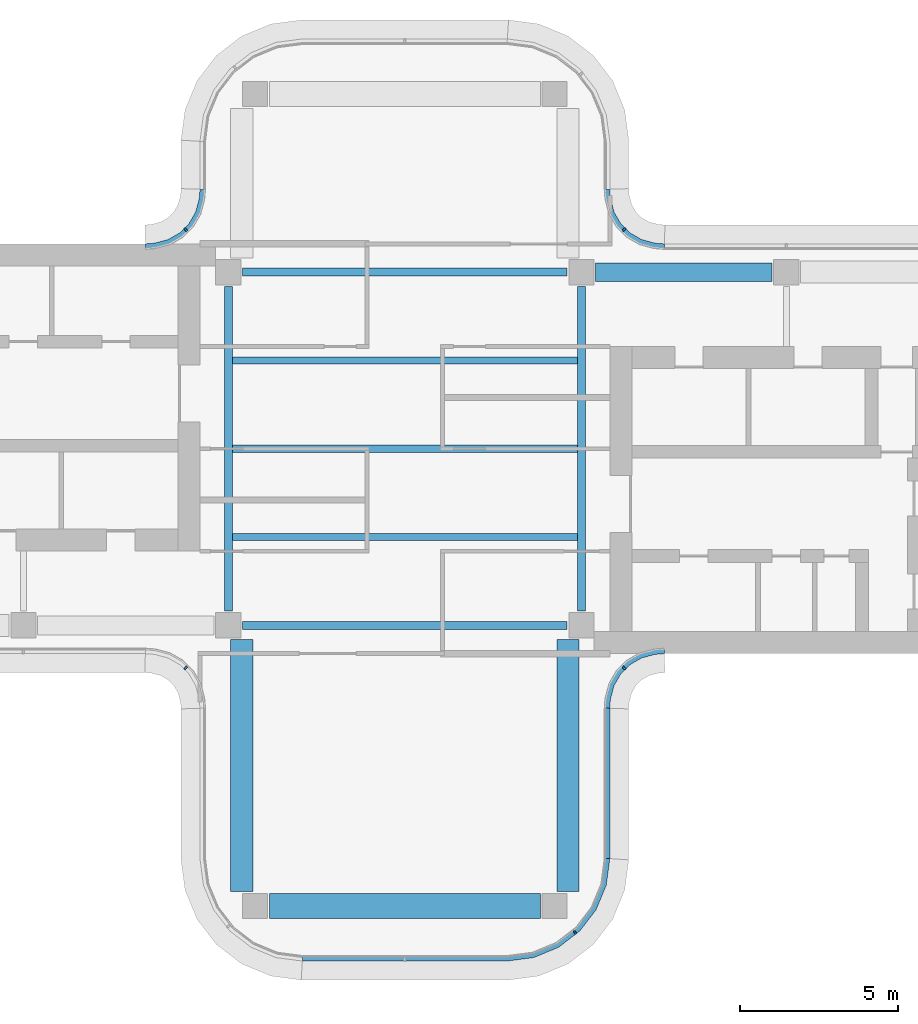
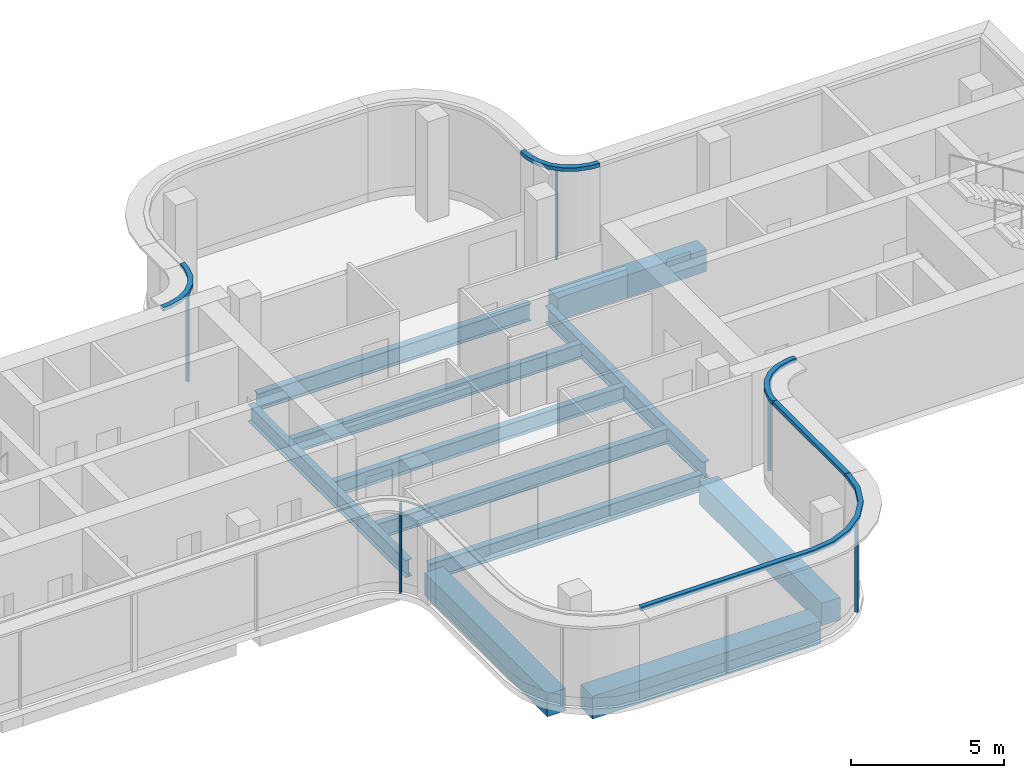
# One storey, part 3 of 10: 11 beams, 10 members, 6 elements without a shape of their own.
"""IFC4 building model written with IfcOpenShell, lengths in metres."""

from ifc_helpers import new_model, si_unit, direction, frame, origin, origin_2d, place, context, subcontext, project, spatial, polyline, rectangle, i_section, outline, extrude, source, transform, mapped, material, layer, layer_set, material_profile, profile_set, type_object, element, aggregate, save


model = new_model("IFC4")

# Units and contexts
model_context = context("Model", 3, precision=1e-05, world=origin(), true_north=direction((0.0, 1.0)))
body_context = subcontext(model_context, "Body", "Model", "MODEL_VIEW")
ifc_project = project(units=[si_unit("LENGTHUNIT", "METRE"), si_unit("AREAUNIT", "SQUARE_METRE"), si_unit("VOLUMEUNIT", "CUBIC_METRE"), si_unit("PLANEANGLEUNIT", "RADIAN"), si_unit("MASSUNIT", "GRAM", prefix="KILO")], contexts=[model_context])

# Site, building, storey
site_placement = place(None, origin())
site = spatial("IfcSite", under=ifc_project, at=site_placement, CompositionType="ELEMENT")
building_placement = place(site_placement, origin())
building = spatial("IfcBuilding", under=site, at=building_placement, Name="Trellis Farm Tower", CompositionType="ELEMENT")
storey_placement = place(building_placement, frame((0.0, 0.0, 350.10009765625)))
storey = spatial("IfcBuildingStorey", under=building, at=storey_placement, Name="L79", CompositionType="ELEMENT", Elevation=350.10009765625)

# Curtain wall, member
ifc_material_1 = material(Name="Aluminium and glass curtain wall", Category="aluminium")
ifc_layer_1 = layer(ifc_material_1, 0.176025390625)
ifc_layer_set_1 = layer_set([ifc_layer_1], Name="CROWN LANTERN CURTAIN WALL CW5")
curtain_wall_type = type_object("IfcCurtainWallType", Name="CROWN LANTERN CURTAIN WALL CW5", PredefinedType="NOTDEFINED", material=ifc_layer_set_1)
placement_1 = place(storey_placement, origin())
curtain_wall_1 = element("IfcCurtainWall", 1, at=placement_1, inside=storey, type_object=curtain_wall_type, Name="CW5 002", PredefinedType="NOTDEFINED")
ifc_material_2 = material(Name="Aluminium extrusion 6063-T6", Category="aluminium")
ifc_layer_2 = layer(ifc_material_2, 0.176025390625)
ifc_layer_set_2 = layer_set([ifc_layer_2], Name="Aluminium extrusion 6063-T6")
member_type_1 = type_object("IfcMemberType", Name="CW5 TRANSOM 176x150", PredefinedType="USERDEFINED", material=ifc_layer_set_2)
placement_2 = place(storey_placement, frame((0.0, 0.0, 3.599853515625)))
member_1 = element("IfcMember", 2, at=placement_2, type_object=member_type_1, Name="TR5 002", ObjectType="TRANSOM", PredefinedType="USERDEFINED", context=body_context, shape_type="SweptSolid", body=[
    extrude(outline(polyline([(-3.25, -16.25), (3.25, -16.25), (4.091064453125, -16.13916015625), (4.875, -15.814697265625), (5.548095703125, -15.298095703125), (6.064697265625, -14.625), (6.38916015625, -13.841064453125), (6.5, -13.0), (6.323974609375, -12.988525390625), (6.2177734375, -13.795166015625), (5.910888671875, -14.5361328125), (5.422607421875, -15.172607421875), (4.7861328125, -15.660888671875), (4.045166015625, -15.9677734375), (3.238525390625, -16.073974609375), (-3.238525390625, -16.073974609375), (-3.25, -16.25)])), origin(), (0.0, 0.0, 1.0), 0.150146484375),
])

# Beams
ifc_material_3 = material(Name="Steel S355", Category="steel")
ifc_material_profile_1 = material_profile(ifc_material_3, i_section(OverallWidth=0.22900390625, OverallDepth=0.6123046875, WebThickness=0.011962890625, FlangeThickness=0.01953125, FilletRadius=0.0126953125, at=origin_2d()), Name="UB 610x229x125")
ifc_profile_set_1 = profile_set([ifc_material_profile_1], Name="Steel S355")
beam_type_1 = type_object("IfcBeamType", Name="UB 610x229x125 joist", PredefinedType="JOIST", material=ifc_profile_set_1)
shared_shape_1 = source(origin(), body_context, "Body", "SweptSolid", [
    extrude(i_section(OverallWidth=0.22900390625, OverallDepth=0.6123046875, WebThickness=0.011962890625, FlangeThickness=0.01953125, FilletRadius=0.0126953125, at=origin_2d()), origin(), (0.0, 0.0, 1.0), 10.9462890625),
])
for number, where, z_axis, x_axis, name in (
    (3, (-5.47314453125, -2.800048828125, -0.55615234375), (1.0, 0.0, 0.0), (0.0, 1.0, 0.0), "Floor beam"),
    (4, (-5.47314453125, 0.0, -0.55615234375), (1.0, 0.0, 0.0), (0.0, 1.0, 0.0), "Floor beam"),
    (5, (-5.47314453125, 2.800048828125, -0.55615234375), (1.0, 0.0, 0.0), (0.0, 1.0, 0.0), "Floor beam"),
):
    element("IfcBeam", number, at=place(storey_placement, frame(where, z_axis=z_axis, x_axis=x_axis)), inside=storey, type_object=beam_type_1, Name=name, PredefinedType="JOIST", context=body_context, shape_type="MappedRepresentation", body=[
        mapped(shared_shape_1, transform((0.0, 0.0, 0.0))),
    ])
ifc_material_4 = material(Name="Concrete C60/75", Category="concrete")
ifc_material_profile_2 = material_profile(ifc_material_4, rectangle(XDim=0.60009765625, YDim=0.89990234375, at=origin_2d()), Name="RC spandrel beam 600x900 C60/75")
ifc_profile_set_2 = profile_set([ifc_material_profile_2], Name="Concrete C60/75")
beam_type_2 = type_object("IfcBeamType", Name="RC spandrel beam 600x900 C60/75", PredefinedType="SPANDREL", material=ifc_profile_set_2)
shared_shape_2 = source(origin(), body_context, "Body", "SweptSolid", [
    extrude(rectangle(XDim=0.60009765625, YDim=0.89990234375, at=origin_2d()), origin(), (0.0, 0.0, 1.0), 5.599853515625),
])
beam_1_placement = place(storey_placement, frame((6.050048828125, 5.60009765625, -0.7001953125), z_axis=(1.0, 0.0, 0.0), x_axis=(0.0, 1.0, 0.0)))
element("IfcBeam", 6, at=beam_1_placement, inside=storey, type_object=beam_type_2, Name="Girder", PredefinedType="SPANDREL", context=body_context, shape_type="MappedRepresentation", body=[
    mapped(shared_shape_2, transform((0.0, 0.0, 0.0))),
])
ifc_material_profile_3 = material_profile(ifc_material_3, i_section(OverallWidth=0.253662109375, OverallDepth=0.68359375, WebThickness=0.012451171875, FlangeThickness=0.021728515625, FilletRadius=0.01513671875, at=origin_2d()), Name="UB 686x254x140")
ifc_profile_set_3 = profile_set([ifc_material_profile_3], Name="Steel S355")
beam_type_3 = type_object("IfcBeamType", Name="UB 686x254x140", PredefinedType="BEAM", material=ifc_profile_set_3)
shared_shape_3 = source(origin(), body_context, "Body", "SweptSolid", [
    extrude(i_section(OverallWidth=0.253662109375, OverallDepth=0.68359375, WebThickness=0.012451171875, FlangeThickness=0.021728515625, FilletRadius=0.01513671875, at=origin_2d()), origin(), (0.0, 0.0, 1.0), 10.2998046875),
])
for number, where, z_axis, x_axis, name in (
    (7, (-5.14990234375, -5.60009765625, -0.591796875), (1.0, 0.0, 0.0), (0.0, 1.0, 0.0), "Girder"),
    (8, (-5.14990234375, 5.60009765625, -0.591796875), (1.0, 0.0, 0.0), (0.0, 1.0, 0.0), "Girder"),
    (9, (-5.60009765625, -5.14990234375, -0.591796875), (0.0, 1.0, 0.0), (-1.0, 0.0, 0.0), "Girder"),
    (10, (5.60009765625, -5.14990234375, -0.591796875), (0.0, 1.0, 0.0), (-1.0, 0.0, 0.0), "Girder"),
):
    element("IfcBeam", number, at=place(storey_placement, frame(where, z_axis=z_axis, x_axis=x_axis)), inside=storey, type_object=beam_type_3, Name=name, PredefinedType="BEAM", context=body_context, shape_type="MappedRepresentation", body=[
        mapped(shared_shape_3, transform((0.0, 0.0, 0.0))),
    ])
ifc_material_profile_4 = material_profile(ifc_material_4, rectangle(XDim=0.800048828125, YDim=0.89990234375, at=origin_2d()), Name="RC spandrel beam 800x900 C60/75")
ifc_profile_set_4 = profile_set([ifc_material_profile_4], Name="Concrete C60/75")
beam_type_4 = type_object("IfcBeamType", Name="RC spandrel beam 800x900 C60/75", PredefinedType="SPANDREL", material=ifc_profile_set_4)
shared_shape_4 = source(origin(), body_context, "Body", "SweptSolid", [
    extrude(rectangle(XDim=0.800048828125, YDim=0.89990234375, at=origin_2d()), origin(), (0.0, 0.0, 1.0), 8.60009765625),
])
beam_2_placement = place(storey_placement, frame((-4.300048828125, -14.5, -0.7001953125), z_axis=(1.0, 0.0, 0.0), x_axis=(0.0, 1.0, 0.0)))
element("IfcBeam", 11, at=beam_2_placement, inside=storey, type_object=beam_type_4, Name="Girder", PredefinedType="SPANDREL", context=body_context, shape_type="MappedRepresentation", body=[
    mapped(shared_shape_4, transform((0.0, 0.0, 0.0))),
])
ifc_material_profile_5 = material_profile(ifc_material_4, rectangle(XDim=0.699951171875, YDim=0.89990234375, at=origin_2d()), Name="RC spandrel beam 700x900 C60/75")
ifc_profile_set_5 = profile_set([ifc_material_profile_5], Name="Concrete C60/75")
beam_type_5 = type_object("IfcBeamType", Name="RC spandrel beam 700x900 C60/75", PredefinedType="SPANDREL", material=ifc_profile_set_5)
shared_shape_5 = source(origin(), body_context, "Body", "SweptSolid", [
    extrude(rectangle(XDim=0.699951171875, YDim=0.89990234375, at=origin_2d()), origin(), (0.0, 0.0, 1.0), 8.0),
])
for number, where, z_axis, x_axis, name in (
    (12, (-5.175048828125, -14.050048828125, -0.7001953125), (0.0, 1.0, 0.0), (-1.0, 0.0, 0.0), "Girder"),
    (13, (5.175048828125, -14.050048828125, -0.7001953125), (0.0, 1.0, 0.0), (-1.0, 0.0, 0.0), "Girder"),
):
    element("IfcBeam", number, at=place(storey_placement, frame(where, z_axis=z_axis, x_axis=x_axis)), inside=storey, type_object=beam_type_5, Name=name, PredefinedType="SPANDREL", context=body_context, shape_type="MappedRepresentation", body=[
        mapped(shared_shape_5, transform((0.0, 0.0, 0.0))),
    ])

# Member
ifc_material_profile_6 = material_profile(ifc_material_2, rectangle(XDim=0.06005859375, YDim=0.1201171875, at=origin_2d()), Name="MULLION 60x120")
ifc_profile_set_6 = profile_set([ifc_material_profile_6], Name="Aluminium extrusion 6063-T6")
member_type_2 = type_object("IfcMemberType", Name="CW5 MULLION 60x120", PredefinedType="MULLION", material=ifc_profile_set_6)
shared_shape_6 = source(origin(), body_context, "Body", "SweptSolid", [
    extrude(rectangle(XDim=0.06005859375, YDim=0.1201171875, at=origin_2d()), origin(), (0.0, 0.0, 1.0), 3.599853515625),
])
member_2_placement = place(storey_placement, frame((5.394775390625, -15.340087890625, 0.0), z_axis=(0.0, 0.0, 1.0), x_axis=(0.793353340291, 0.608761429009, 0.0)))
member_2 = element("IfcMember", 14, at=member_2_placement, type_object=member_type_2, Name="MU5 002-02", PredefinedType="MULLION", context=body_context, shape_type="MappedRepresentation", body=[
    mapped(shared_shape_6, transform((0.0, 0.0, 0.0))),
])

aggregate(curtain_wall_1, [member_2, member_1])

# Curtain wall, member
curtain_wall_2 = element("IfcCurtainWall", 15, at=placement_1, inside=storey, type_object=curtain_wall_type, Name="CW5 004", PredefinedType="NOTDEFINED")
member_3_placement = place(storey_placement, frame((6.953125, -6.953125, 0.0), z_axis=(0.0, 0.0, 1.0), x_axis=(0.707106781187, 0.707106781187, 0.0)))
member_3 = element("IfcMember", 16, at=member_3_placement, type_object=member_type_2, Name="MU5 004-01", PredefinedType="MULLION", context=body_context, shape_type="MappedRepresentation", body=[
    mapped(shared_shape_6, transform((0.0, 0.0, 0.0))),
])

curtain_wall_3 = element("IfcCurtainWall", 17, at=placement_1, inside=storey, type_object=curtain_wall_type, Name="CW5 007", PredefinedType="NOTDEFINED")
member_4_placement = place(storey_placement, frame((6.953125, 6.953125, 0.0), z_axis=(0.0, 0.0, 1.0), x_axis=(-0.707106781187, 0.707106781187, 0.0)))
member_4 = element("IfcMember", 18, at=member_4_placement, type_object=member_type_2, Name="MU5 007-01", PredefinedType="MULLION", context=body_context, shape_type="MappedRepresentation", body=[
    mapped(shared_shape_6, transform((0.0, 0.0, 0.0))),
])

curtain_wall_4 = element("IfcCurtainWall", 19, at=placement_1, inside=storey, type_object=curtain_wall_type, Name="CW5 011", PredefinedType="NOTDEFINED")
member_5_placement = place(storey_placement, frame((-6.953125, 6.953125, 0.0), z_axis=(0.0, 0.0, 1.0), x_axis=(-0.707106781187, -0.707106781187, 0.0)))
member_5 = element("IfcMember", 20, at=member_5_placement, type_object=member_type_2, Name="MU5 011-01", PredefinedType="MULLION", context=body_context, shape_type="MappedRepresentation", body=[
    mapped(shared_shape_6, transform((0.0, 0.0, 0.0))),
])

curtain_wall_5 = element("IfcCurtainWall", 21, at=placement_1, inside=storey, type_object=curtain_wall_type, Name="CW5 014", PredefinedType="NOTDEFINED")
member_6_placement = place(storey_placement, frame((-6.953125, -6.953125, 0.0), z_axis=(0.0, 0.0, 1.0), x_axis=(0.707106781187, -0.707106781187, 0.0)))
member_6 = element("IfcMember", 22, at=member_6_placement, type_object=member_type_2, Name="MU5 014-01", PredefinedType="MULLION", context=body_context, shape_type="MappedRepresentation", body=[
    mapped(shared_shape_6, transform((0.0, 0.0, 0.0))),
])
aggregate(curtain_wall_5, [member_6])

# Member
shared_shape_7 = source(origin(), body_context, "Body", "SweptSolid", [
    extrude(outline(polyline([(6.5, -8.2314453125), (6.513916015625, -8.01953125), (6.527587890625, -7.91552734375), (6.63671875, -7.508544921875), (6.846923828125, -7.144287109375), (7.144287109375, -6.846923828125), (7.508544921875, -6.63671875), (7.91552734375, -6.527587890625), (8.01953125, -6.513916015625), (8.2314453125, -6.5), (8.2255859375, -6.323974609375), (8.002197265625, -6.338623046875), (7.881103515625, -6.3544921875), (7.440673828125, -6.47265625), (7.0361328125, -6.7060546875), (6.7060546875, -7.0361328125), (6.47265625, -7.440673828125), (6.3544921875, -7.881103515625), (6.338623046875, -8.002197265625), (6.323974609375, -8.2255859375), (6.5, -8.2314453125)])), origin(), (0.0, 0.0, 1.0), 0.150146484375),
])
member_7 = element("IfcMember", 23, at=placement_2, type_object=member_type_1, Name="TR5 004", ObjectType="TRANSOM", PredefinedType="USERDEFINED", context=body_context, shape_type="MappedRepresentation", body=[
    mapped(shared_shape_7, transform((0.0, 0.0, 0.0))),
])

aggregate(curtain_wall_2, [member_3, member_7])

shared_shape_8 = source(origin(), body_context, "Body", "SweptSolid", [
    extrude(outline(polyline([(8.2314453125, 6.5), (8.01953125, 6.513916015625), (7.91552734375, 6.527587890625), (7.508544921875, 6.63671875), (7.144287109375, 6.846923828125), (6.846923828125, 7.144287109375), (6.63671875, 7.508544921875), (6.527587890625, 7.91552734375), (6.513916015625, 8.01953125), (6.5, 8.2314453125), (6.323974609375, 8.2255859375), (6.338623046875, 8.002197265625), (6.3544921875, 7.881103515625), (6.47265625, 7.440673828125), (6.7060546875, 7.0361328125), (7.0361328125, 6.7060546875), (7.440673828125, 6.47265625), (7.881103515625, 6.3544921875), (8.002197265625, 6.338623046875), (8.2255859375, 6.323974609375), (8.2314453125, 6.5)])), origin(), (0.0, 0.0, 1.0), 0.150146484375),
])
member_8 = element("IfcMember", 24, at=placement_2, type_object=member_type_1, Name="TR5 007", ObjectType="TRANSOM", PredefinedType="USERDEFINED", context=body_context, shape_type="MappedRepresentation", body=[
    mapped(shared_shape_8, transform((0.0, 0.0, 0.0))),
])

aggregate(curtain_wall_3, [member_4, member_8])

shared_shape_9 = source(origin(), body_context, "Body", "SweptSolid", [
    extrude(outline(polyline([(-6.5, 8.2314453125), (-6.513916015625, 8.01953125), (-6.527587890625, 7.91552734375), (-6.63671875, 7.508544921875), (-6.846923828125, 7.144287109375), (-7.144287109375, 6.846923828125), (-7.508544921875, 6.63671875), (-7.91552734375, 6.527587890625), (-8.01953125, 6.513916015625), (-8.2314453125, 6.5), (-8.2255859375, 6.323974609375), (-8.002197265625, 6.338623046875), (-7.881103515625, 6.3544921875), (-7.440673828125, 6.47265625), (-7.0361328125, 6.7060546875), (-6.7060546875, 7.0361328125), (-6.47265625, 7.440673828125), (-6.3544921875, 7.881103515625), (-6.338623046875, 8.002197265625), (-6.323974609375, 8.2255859375), (-6.5, 8.2314453125)])), origin(), (0.0, 0.0, 1.0), 0.150146484375),
])
member_9 = element("IfcMember", 25, at=placement_2, type_object=member_type_1, Name="TR5 011", ObjectType="TRANSOM", PredefinedType="USERDEFINED", context=body_context, shape_type="MappedRepresentation", body=[
    mapped(shared_shape_9, transform((0.0, 0.0, 0.0))),
])

aggregate(curtain_wall_4, [member_5, member_9])

# Curtain wall, member
curtain_wall_6 = element("IfcCurtainWall", 26, at=placement_1, inside=storey, type_object=curtain_wall_type, Name="CW5 003", PredefinedType="NOTDEFINED")
shared_shape_10 = source(origin(), body_context, "Body", "SweptSolid", [
    extrude(outline(polyline([(6.5, -13.0), (6.5, -8.2314453125), (6.323974609375, -8.2255859375), (6.323974609375, -12.988525390625), (6.5, -13.0)])), origin(), (0.0, 0.0, 1.0), 0.150146484375),
])
member_10 = element("IfcMember", 27, at=placement_2, type_object=member_type_1, Name="TR5 003", ObjectType="TRANSOM", PredefinedType="USERDEFINED", context=body_context, shape_type="MappedRepresentation", body=[
    mapped(shared_shape_10, transform((0.0, 0.0, 0.0))),
])
aggregate(curtain_wall_6, [member_10])

save(model, "model.ifc")
